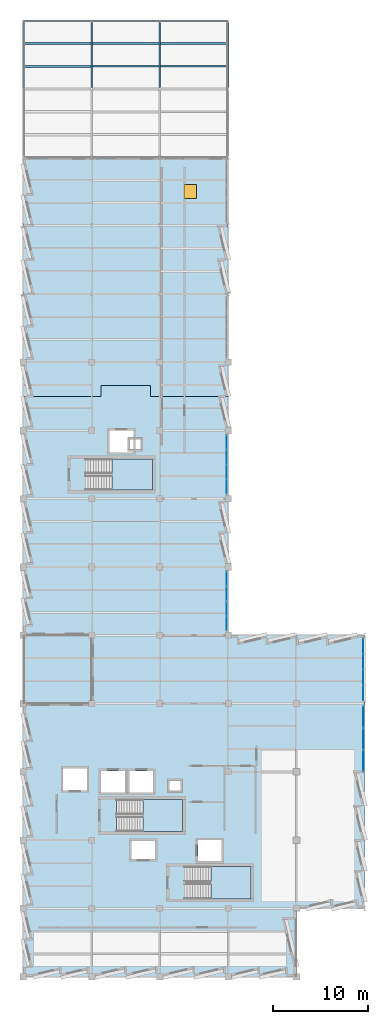
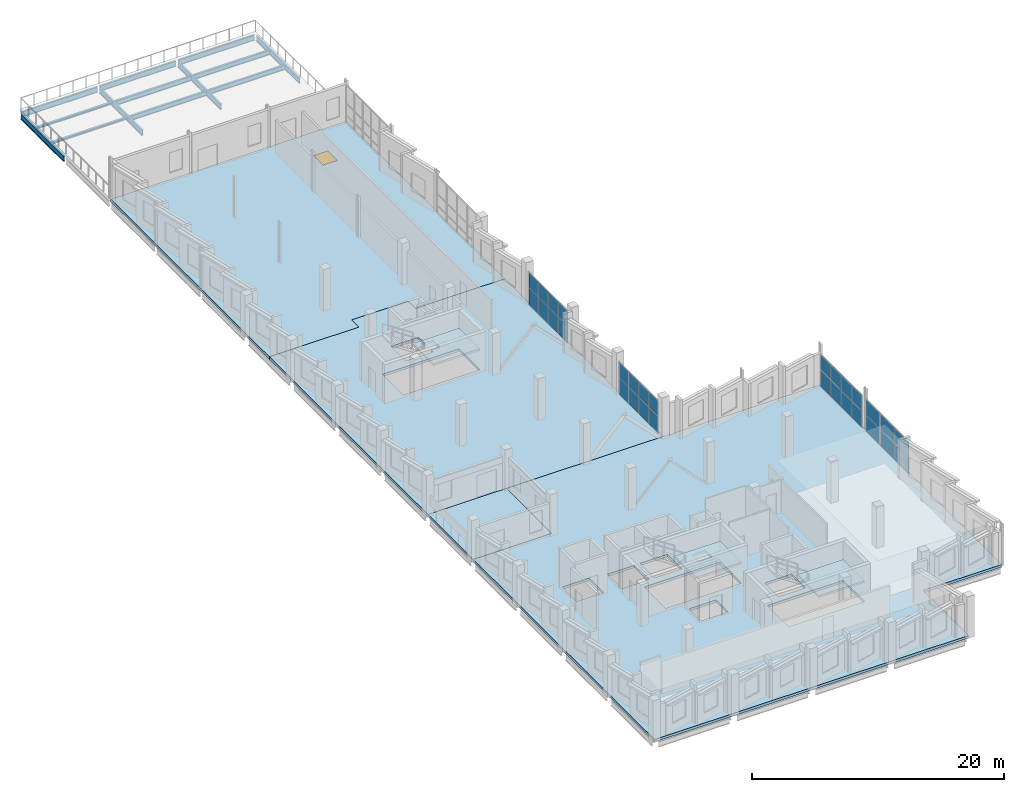
# One storey, part 19 of 33: 30 plates, 13 beams, 7 slabs, 1 door, 1 opening, 7 elements without a shape of their own.
"""IFC4 building model written with IfcOpenShell, lengths in metres."""

from ifc_helpers import new_model, si_unit, direction, frame, origin, origin_2d, place, context, subcontext, project, spatial, polyline, rectangle, i_section, outline, extrude, material, layer, layer_set, material_profile, profile_set, type_object, element, fill, aggregate, save


model = new_model("IFC4")

# Units and contexts
model_context = context("Model", 3, precision=1e-05, world=origin(), true_north=direction((0.0, 1.0)))
body_context = subcontext(model_context, "Body", "Model", "MODEL_VIEW")
ifc_project = project(units=[si_unit("LENGTHUNIT", "METRE"), si_unit("AREAUNIT", "SQUARE_METRE"), si_unit("VOLUMEUNIT", "CUBIC_METRE"), si_unit("PLANEANGLEUNIT", "RADIAN"), si_unit("MASSUNIT", "GRAM", prefix="KILO")], contexts=[model_context])

# Site, building, storey
site_placement = place(None, origin())
site = spatial("IfcSite", under=ifc_project, at=site_placement, CompositionType="ELEMENT")
building_placement = place(site_placement, origin())
building = spatial("IfcBuilding", under=site, at=building_placement, Name="Kalmorath City Hall", CompositionType="ELEMENT")
storey_placement = place(building_placement, frame((0.0, 0.0, 22.949951171875)))
storey = spatial("IfcBuildingStorey", under=building, at=storey_placement, Name="L05", CompositionType="ELEMENT", Elevation=22.949951171875)

# Beams
ifc_material_1 = material(Name="Steel ASTM A992 Grade 50", Category="steel")
ifc_material_profile_1 = material_profile(ifc_material_1, i_section(OverallWidth=0.19091796875, OverallDepth=0.4599609375, WebThickness=0.010009765625, FlangeThickness=0.01611328125, FilletRadius=0.013916015625, at=origin_2d()), Name="W18X55")
ifc_profile_set_1 = profile_set([ifc_material_profile_1], Name="Steel ASTM A992 Grade 50")
beam_type_1 = type_object("IfcBeamType", Name="Steel composite joist W18X55", PredefinedType="JOIST", material=ifc_profile_set_1)
for number, where, z_axis, x_axis, name in (
    (1, (14.4833984375, 96.0, -0.52392578125), (1.0, 0.0, 0.0), (0.0, 1.0, 0.0), "L05 joist SJ2 3.14.1"),
    (2, (14.4833984375, 98.39990234375, -0.52392578125), (1.0, 0.0, 0.0), (0.0, 1.0, 0.0), "L05 joist SJ2 3.14.2"),
):
    element("IfcBeam", number, at=place(storey_placement, frame(where, z_axis=z_axis, x_axis=x_axis)), inside=storey, type_object=beam_type_1, Name=name, PredefinedType="JOIST", context=body_context, shape_type="SweptSolid", body=[
        extrude(i_section(OverallWidth=0.19091796875, OverallDepth=0.4599609375, WebThickness=0.010009765625, FlangeThickness=0.01611328125, FilletRadius=0.013916015625, at=origin_2d()), origin(), (0.0, 0.0, 1.0), 7.0341796875),
    ])
ifc_material_2 = material(Name="Steel ASTM A992 Grade 50", Category="steel")
ifc_material_profile_2 = material_profile(ifc_material_2, i_section(OverallWidth=0.193115234375, OverallDepth=0.466064453125, WebThickness=0.011474609375, FlangeThickness=0.01904296875, FilletRadius=0.013916015625, at=origin_2d()), Name="W18X65")
ifc_profile_set_2 = profile_set([ifc_material_profile_2], Name="Steel ASTM A992 Grade 50")
beam_type_2 = type_object("IfcBeamType", Name="Steel composite joist W18X65", PredefinedType="JOIST", material=ifc_profile_set_2)
for number, where, z_axis, x_axis, name in (
    (3, (7.283447265625, 96.0, -0.52685546875), (1.0, 0.0, 0.0), (0.0, 1.0, 0.0), "L05 joist SJ1 2.14.1"),
    (4, (7.283447265625, 98.39990234375, -0.52685546875), (1.0, 0.0, 0.0), (0.0, 1.0, 0.0), "L05 joist SJ1 2.14.2"),
):
    element("IfcBeam", number, at=place(storey_placement, frame(where, z_axis=z_axis, x_axis=x_axis)), inside=storey, type_object=beam_type_2, Name=name, PredefinedType="JOIST", context=body_context, shape_type="SweptSolid", body=[
        extrude(i_section(OverallWidth=0.193115234375, OverallDepth=0.466064453125, WebThickness=0.011474609375, FlangeThickness=0.01904296875, FilletRadius=0.013916015625, at=origin_2d()), origin(), (0.0, 0.0, 1.0), 7.032958984375),
    ])
ifc_material_3 = material(Name="Steel ASTM A992 Grade 50", Category="steel")
ifc_material_profile_3 = material_profile(ifc_material_3, i_section(OverallWidth=0.202880859375, OverallDepth=0.202880859375, WebThickness=0.007080078125, FlangeThickness=0.010986328125, FilletRadius=0.010986328125, at=origin_2d()), Name="W8X31")
ifc_profile_set_3 = profile_set([ifc_material_profile_3], Name="Steel ASTM A992 Grade 50")
beam_type_3 = type_object("IfcBeamType", Name="Steel edge trimmer W8X31", PredefinedType="LINTEL", material=ifc_profile_set_3)
for number, where, z_axis, x_axis, name in (
    (5, (0.08251953125, 96.0, -0.3955078125), (1.0, 0.0, 0.0), (0.0, 1.0, 0.0), "L05 joist SJ16 1.14.1"),
    (6, (0.08251953125, 98.39990234375, -0.3955078125), (1.0, 0.0, 0.0), (0.0, 1.0, 0.0), "L05 joist SJ16 1.14.2"),
):
    element("IfcBeam", number, at=place(storey_placement, frame(where, z_axis=z_axis, x_axis=x_axis)), inside=storey, type_object=beam_type_3, Name=name, PredefinedType="LINTEL", context=body_context, shape_type="SweptSolid", body=[
        extrude(i_section(OverallWidth=0.202880859375, OverallDepth=0.202880859375, WebThickness=0.007080078125, FlangeThickness=0.010986328125, FilletRadius=0.010986328125, at=origin_2d()), origin(), (0.0, 0.0, 1.0), 7.033935546875),
    ])
ifc_material_4 = material(Name="Steel ASTM A992 Grade 50", Category="steel")
ifc_material_profile_4 = material_profile(ifc_material_4, i_section(OverallWidth=0.1669921875, OverallDepth=0.534912109375, WebThickness=0.01025390625, FlangeThickness=0.0166015625, FilletRadius=0.014892578125, at=origin_2d()), Name="W21X57")
ifc_profile_set_4 = profile_set([ifc_material_profile_4], Name="Steel ASTM A992 Grade 50")
beam_type_4 = type_object("IfcBeamType", Name="Steel floor beam W21X57", PredefinedType="BEAM", material=ifc_profile_set_4)
for number, where, z_axis, x_axis, name in (
    (7, (7.199951171875, 93.77490234375, -0.5615234375), (0.0, 1.0, 0.0), (-1.0, 0.0, 0.0), "L05 girder SB3 Y2/14-15"),
    (8, (14.39990234375, 93.77490234375, -0.5615234375), (0.0, 1.0, 0.0), (-1.0, 0.0, 0.0), "L05 girder SB3 Y3/14-15"),
):
    element("IfcBeam", number, at=place(storey_placement, frame(where, z_axis=z_axis, x_axis=x_axis)), inside=storey, type_object=beam_type_4, Name=name, PredefinedType="BEAM", context=body_context, shape_type="SweptSolid", body=[
        extrude(i_section(OverallWidth=0.1669921875, OverallDepth=0.534912109375, WebThickness=0.01025390625, FlangeThickness=0.0166015625, FilletRadius=0.014892578125, at=origin_2d()), origin(), (0.0, 0.0, 1.0), 6.85009765625),
    ])
ifc_material_5 = material(Name="Steel ASTM A992 Grade 50", Category="steel")
ifc_material_profile_5 = material_profile(ifc_material_5, i_section(OverallWidth=0.1650390625, OverallDepth=0.52490234375, WebThickness=0.0087890625, FlangeThickness=0.011474609375, FilletRadius=0.014892578125, at=origin_2d()), Name="W21X44")
ifc_profile_set_5 = profile_set([ifc_material_profile_5], Name="Steel ASTM A992 Grade 50")
beam_type_5 = type_object("IfcBeamType", Name="Steel spandrel beam W21X44", PredefinedType="SPANDREL", material=ifc_profile_set_5)
beam_placement = place(storey_placement, frame((0.10205078125, 100.800048828125, -0.556396484375), z_axis=(1.0, 0.0, 0.0), x_axis=(0.0, 1.0, 0.0)))
element("IfcBeam", 9, at=beam_placement, inside=storey, type_object=beam_type_5, Name="L05 girder SB4 X1-2/15", PredefinedType="SPANDREL", context=body_context, shape_type="SweptSolid", body=[
    extrude(i_section(OverallWidth=0.1650390625, OverallDepth=0.52490234375, WebThickness=0.0087890625, FlangeThickness=0.011474609375, FilletRadius=0.014892578125, at=origin_2d()), origin(), (0.0, 0.0, 1.0), 6.995849609375),
])
for number, where, z_axis, x_axis, name in (
    (10, (7.302001953125, 100.800048828125, -0.556396484375), (1.0, 0.0, 0.0), (0.0, 1.0, 0.0), "L05 girder SB4 X2-3/15"),
    (11, (14.501953125, 100.800048828125, -0.556396484375), (1.0, 0.0, 0.0), (0.0, 1.0, 0.0), "L05 girder SB4 X3-4/15"),
):
    element("IfcBeam", number, at=place(storey_placement, frame(where, z_axis=z_axis, x_axis=x_axis)), inside=storey, type_object=beam_type_5, Name=name, PredefinedType="SPANDREL", context=body_context, shape_type="SweptSolid", body=[
        extrude(i_section(OverallWidth=0.1650390625, OverallDepth=0.52490234375, WebThickness=0.0087890625, FlangeThickness=0.011474609375, FilletRadius=0.014892578125, at=origin_2d()), origin(), (0.0, 0.0, 1.0), 6.99609375),
    ])
for number, where, z_axis, x_axis, name in (
    (12, (0.0, 93.77490234375, -0.556396484375), (0.0, 1.0, 0.0), (-1.0, 0.0, 0.0), "L05 girder SB4 Y1/14-15"),
    (13, (21.60009765625, 93.77490234375, -0.556396484375), (0.0, 1.0, 0.0), (-1.0, 0.0, 0.0), "L05 girder SB4 Y4/14-15"),
):
    element("IfcBeam", number, at=place(storey_placement, frame(where, z_axis=z_axis, x_axis=x_axis)), inside=storey, type_object=beam_type_5, Name=name, PredefinedType="SPANDREL", context=body_context, shape_type="SweptSolid", body=[
        extrude(i_section(OverallWidth=0.1650390625, OverallDepth=0.52490234375, WebThickness=0.0087890625, FlangeThickness=0.011474609375, FilletRadius=0.014892578125, at=origin_2d()), origin(), (0.0, 0.0, 1.0), 6.85009765625),
    ])

# Curtain wall, plates
ifc_material_6 = material(Name="Anodised aluminium and laminated glass", Category="aluminium")
curtain_wall_type_1 = type_object("IfcCurtainWallType", Name="Unitised hurricane curtain wall 6320x3216 M1450", PredefinedType="NOTDEFINED", material=ifc_material_6)
curtain_wall_1_placement = place(storey_placement, origin())
curtain_wall_1 = element("IfcCurtainWall", 14, at=curtain_wall_1_placement, inside=storey, type_object=curtain_wall_type_1, Name="L05 curtain wall CW-63X32M14 #172", PredefinedType="NOTDEFINED")
ifc_material_7 = material(Name="Hurricane laminated low-E glass", Category="glass")
ifc_layer_1 = layer(ifc_material_7, 0.02392578125)
ifc_layer_set_1 = layer_set([ifc_layer_1], Name="Hurricane laminated low-E glass")
plate_type_1 = type_object("IfcPlateType", Name="Clerestory diffused glazed panel 24", PredefinedType="CURTAIN_PANEL", material=ifc_layer_set_1)
plate_1_placement = place(storey_placement, frame((21.43994140625, 56.353759765625, 0.06005859375), z_axis=(0.0, 0.0, 1.0), x_axis=(0.0, -1.0, 0.0)))
plate_1 = element("IfcPlate", 15, at=plate_1_placement, type_object=plate_type_1, Name="CW-63X32M14 panel 1.1", PredefinedType="CURTAIN_PANEL", context=body_context, shape_type="SweptSolid", body=[
    extrude(rectangle(XDim=1.482421875, YDim=0.02392578125, at=origin_2d()), origin(), (0.0, 0.0, 1.0), 1.58203125),
])
plate_2_placement = place(storey_placement, frame((21.43994140625, 56.353759765625, 1.701904296875), z_axis=(0.0, 0.0, 1.0), x_axis=(0.0, -1.0, 0.0)))
plate_2 = element("IfcPlate", 16, at=plate_2_placement, type_object=plate_type_1, Name="CW-63X32M14 panel 1.2", PredefinedType="CURTAIN_PANEL", context=body_context, shape_type="SweptSolid", body=[
    extrude(rectangle(XDim=1.482421875, YDim=0.02392578125, at=origin_2d()), origin(), (0.0, 0.0, 1.0), 1.4541015625),
])
plate_3_placement = place(storey_placement, frame((21.43994140625, 54.7900390625, 0.06005859375), z_axis=(0.0, 0.0, 1.0), x_axis=(0.0, -1.0, 0.0)))
plate_3 = element("IfcPlate", 17, at=plate_3_placement, type_object=plate_type_1, Name="CW-63X32M14 panel 2.1", PredefinedType="CURTAIN_PANEL", context=body_context, shape_type="SweptSolid", body=[
    extrude(rectangle(XDim=1.514892578125, YDim=0.02392578125, at=origin_2d()), origin(), (0.0, 0.0, 1.0), 1.58203125),
])
plate_4_placement = place(storey_placement, frame((21.43994140625, 54.7900390625, 1.701904296875), z_axis=(0.0, 0.0, 1.0), x_axis=(0.0, -1.0, 0.0)))
plate_4 = element("IfcPlate", 18, at=plate_4_placement, type_object=plate_type_1, Name="CW-63X32M14 panel 2.2", PredefinedType="CURTAIN_PANEL", context=body_context, shape_type="SweptSolid", body=[
    extrude(rectangle(XDim=1.514892578125, YDim=0.02392578125, at=origin_2d()), origin(), (0.0, 0.0, 1.0), 1.4541015625),
])
plate_5_placement = place(storey_placement, frame((21.43994140625, 53.2099609375, 0.06005859375), z_axis=(0.0, 0.0, 1.0), x_axis=(0.0, -1.0, 0.0)))
plate_5 = element("IfcPlate", 19, at=plate_5_placement, type_object=plate_type_1, Name="CW-63X32M14 panel 3.1", PredefinedType="CURTAIN_PANEL", context=body_context, shape_type="SweptSolid", body=[
    extrude(rectangle(XDim=1.514892578125, YDim=0.02392578125, at=origin_2d()), origin(), (0.0, 0.0, 1.0), 1.58203125),
])
plate_6_placement = place(storey_placement, frame((21.43994140625, 53.2099609375, 1.701904296875), z_axis=(0.0, 0.0, 1.0), x_axis=(0.0, -1.0, 0.0)))
plate_6 = element("IfcPlate", 20, at=plate_6_placement, type_object=plate_type_1, Name="CW-63X32M14 panel 3.2", PredefinedType="CURTAIN_PANEL", context=body_context, shape_type="SweptSolid", body=[
    extrude(rectangle(XDim=1.514892578125, YDim=0.02392578125, at=origin_2d()), origin(), (0.0, 0.0, 1.0), 1.4541015625),
])
plate_7_placement = place(storey_placement, frame((21.43994140625, 51.646240234375, 0.06005859375), z_axis=(0.0, 0.0, 1.0), x_axis=(0.0, -1.0, 0.0)))
plate_7 = element("IfcPlate", 21, at=plate_7_placement, type_object=plate_type_1, Name="CW-63X32M14 panel 4.1", PredefinedType="CURTAIN_PANEL", context=body_context, shape_type="SweptSolid", body=[
    extrude(rectangle(XDim=1.482421875, YDim=0.02392578125, at=origin_2d()), origin(), (0.0, 0.0, 1.0), 1.58203125),
])
plate_8_placement = place(storey_placement, frame((21.43994140625, 51.646240234375, 1.701904296875), z_axis=(0.0, 0.0, 1.0), x_axis=(0.0, -1.0, 0.0)))
plate_8 = element("IfcPlate", 22, at=plate_8_placement, type_object=plate_type_1, Name="CW-63X32M14 panel 4.2", PredefinedType="CURTAIN_PANEL", context=body_context, shape_type="SweptSolid", body=[
    extrude(rectangle(XDim=1.482421875, YDim=0.02392578125, at=origin_2d()), origin(), (0.0, 0.0, 1.0), 1.4541015625),
])
aggregate(curtain_wall_1, [plate_1, plate_2, plate_3, plate_4, plate_5, plate_6, plate_7, plate_8])

curtain_wall_2_placement = place(storey_placement, origin())
curtain_wall_2 = element("IfcCurtainWall", 23, at=curtain_wall_2_placement, inside=storey, type_object=curtain_wall_type_1, Name="L05 curtain wall CW-63X32M14 #173", PredefinedType="NOTDEFINED")
plate_9_placement = place(storey_placement, frame((21.43994140625, 41.953857421875, 0.06005859375), z_axis=(0.0, 0.0, 1.0), x_axis=(0.0, -1.0, 0.0)))
plate_9 = element("IfcPlate", 24, at=plate_9_placement, type_object=plate_type_1, Name="CW-63X32M14 panel 1.1", PredefinedType="CURTAIN_PANEL", context=body_context, shape_type="SweptSolid", body=[
    extrude(rectangle(XDim=1.482421875, YDim=0.02392578125, at=origin_2d()), origin(), (0.0, 0.0, 1.0), 1.58203125),
])
plate_10_placement = place(storey_placement, frame((21.43994140625, 41.953857421875, 1.701904296875), z_axis=(0.0, 0.0, 1.0), x_axis=(0.0, -1.0, 0.0)))
plate_10 = element("IfcPlate", 25, at=plate_10_placement, type_object=plate_type_1, Name="CW-63X32M14 panel 1.2", PredefinedType="CURTAIN_PANEL", context=body_context, shape_type="SweptSolid", body=[
    extrude(rectangle(XDim=1.482421875, YDim=0.02392578125, at=origin_2d()), origin(), (0.0, 0.0, 1.0), 1.4541015625),
])
plate_11_placement = place(storey_placement, frame((21.43994140625, 40.389892578125, 0.06005859375), z_axis=(0.0, 0.0, 1.0), x_axis=(0.0, -1.0, 0.0)))
plate_11 = element("IfcPlate", 26, at=plate_11_placement, type_object=plate_type_1, Name="CW-63X32M14 panel 2.1", PredefinedType="CURTAIN_PANEL", context=body_context, shape_type="SweptSolid", body=[
    extrude(rectangle(XDim=1.514892578125, YDim=0.02392578125, at=origin_2d()), origin(), (0.0, 0.0, 1.0), 1.58203125),
])
plate_12_placement = place(storey_placement, frame((21.43994140625, 40.389892578125, 1.701904296875), z_axis=(0.0, 0.0, 1.0), x_axis=(0.0, -1.0, 0.0)))
plate_12 = element("IfcPlate", 27, at=plate_12_placement, type_object=plate_type_1, Name="CW-63X32M14 panel 2.2", PredefinedType="CURTAIN_PANEL", context=body_context, shape_type="SweptSolid", body=[
    extrude(rectangle(XDim=1.514892578125, YDim=0.02392578125, at=origin_2d()), origin(), (0.0, 0.0, 1.0), 1.4541015625),
])
plate_13_placement = place(storey_placement, frame((21.43994140625, 38.81005859375, 0.06005859375), z_axis=(0.0, 0.0, 1.0), x_axis=(0.0, -1.0, 0.0)))
plate_13 = element("IfcPlate", 28, at=plate_13_placement, type_object=plate_type_1, Name="CW-63X32M14 panel 3.1", PredefinedType="CURTAIN_PANEL", context=body_context, shape_type="SweptSolid", body=[
    extrude(rectangle(XDim=1.514892578125, YDim=0.02392578125, at=origin_2d()), origin(), (0.0, 0.0, 1.0), 1.58203125),
])
plate_14_placement = place(storey_placement, frame((21.43994140625, 38.81005859375, 1.701904296875), z_axis=(0.0, 0.0, 1.0), x_axis=(0.0, -1.0, 0.0)))
plate_14 = element("IfcPlate", 29, at=plate_14_placement, type_object=plate_type_1, Name="CW-63X32M14 panel 3.2", PredefinedType="CURTAIN_PANEL", context=body_context, shape_type="SweptSolid", body=[
    extrude(rectangle(XDim=1.514892578125, YDim=0.02392578125, at=origin_2d()), origin(), (0.0, 0.0, 1.0), 1.4541015625),
])
plate_15_placement = place(storey_placement, frame((21.43994140625, 37.246337890625, 0.06005859375), z_axis=(0.0, 0.0, 1.0), x_axis=(0.0, -1.0, 0.0)))
plate_15 = element("IfcPlate", 30, at=plate_15_placement, type_object=plate_type_1, Name="CW-63X32M14 panel 4.1", PredefinedType="CURTAIN_PANEL", context=body_context, shape_type="SweptSolid", body=[
    extrude(rectangle(XDim=1.482421875, YDim=0.02392578125, at=origin_2d()), origin(), (0.0, 0.0, 1.0), 1.58203125),
])
plate_16_placement = place(storey_placement, frame((21.43994140625, 37.246337890625, 1.701904296875), z_axis=(0.0, 0.0, 1.0), x_axis=(0.0, -1.0, 0.0)))
plate_16 = element("IfcPlate", 31, at=plate_16_placement, type_object=plate_type_1, Name="CW-63X32M14 panel 4.2", PredefinedType="CURTAIN_PANEL", context=body_context, shape_type="SweptSolid", body=[
    extrude(rectangle(XDim=1.482421875, YDim=0.02392578125, at=origin_2d()), origin(), (0.0, 0.0, 1.0), 1.4541015625),
])
aggregate(curtain_wall_2, [plate_9, plate_10, plate_11, plate_12, plate_13, plate_14, plate_15, plate_16])

# Slabs
ifc_material_8 = material(Name="Concrete C40/50", Category="concrete")
ifc_layer_2 = layer(ifc_material_8, 0.25)
ifc_layer_set_2 = layer_set([ifc_layer_2], Name="Concrete C40/50")
slab_type_1 = type_object("IfcSlabType", Name="Concrete municipal wing floor slab 250", PredefinedType="FLOOR", material=ifc_layer_set_2)
slab_1_placement = place(storey_placement, frame((0.0, 0.0, -0.25)))
element("IfcSlab", 32, at=slab_1_placement, inside=storey, type_object=slab_type_1, Name="L05 Corner Administration Block slab FS5-1", PredefinedType="FLOOR", context=body_context, shape_type="SweptSolid", body=[
    extrude(outline(polyline([(0.0, 28.800048828125), (7.199951171875, 28.800048828125), (7.199951171875, 36.0), (36.0, 36.0), (36.0, 7.199951171875), (28.800048828125, 7.199951171875), (28.800048828125, 0.0), (0.0, 0.0), (0.0, 28.800048828125)]), holes=[polyline([(16.800048828125, 15.300048828125), (16.800048828125, 18.699951171875), (9.840087890625, 18.699951171875), (9.840087890625, 15.300048828125), (16.800048828125, 15.300048828125)]), polyline([(4.199951171875, 19.64990234375), (6.699951171875, 19.64990234375), (6.699951171875, 21.949951171875), (4.199951171875, 21.949951171875), (4.199951171875, 19.64990234375)]), polyline([(8.199951171875, 21.699951171875), (8.199951171875, 19.39990234375), (10.699951171875, 19.39990234375), (10.699951171875, 21.699951171875), (8.199951171875, 21.699951171875)]), polyline([(13.699951171875, 21.699951171875), (11.199951171875, 21.699951171875), (11.199951171875, 19.39990234375), (13.699951171875, 19.39990234375), (13.699951171875, 21.699951171875)]), polyline([(24.0, 8.199951171875), (24.0, 11.60009765625), (17.0400390625, 11.60009765625), (17.0400390625, 8.199951171875), (24.0, 8.199951171875)]), polyline([(11.39990234375, 12.39990234375), (13.89990234375, 12.39990234375), (13.89990234375, 14.300048828125), (11.39990234375, 14.300048828125), (11.39990234375, 12.39990234375)]), polyline([(18.39990234375, 14.39990234375), (18.39990234375, 12.199951171875), (20.89990234375, 12.199951171875), (20.89990234375, 14.39990234375), (18.39990234375, 14.39990234375)]), polyline([(16.60009765625, 20.679931640625), (15.39990234375, 20.679931640625), (15.39990234375, 19.60009765625), (16.60009765625, 19.60009765625), (16.60009765625, 20.679931640625)])]), origin(), (0.0, 0.0, 1.0), 0.25),
])
slab_2_placement = place(storey_placement, frame((0.0, 0.0, -0.25)))
element("IfcSlab", 33, at=slab_2_placement, inside=storey, type_object=slab_type_1, Name="L05 West Sawtooth Wing and Civic Storm Arcade slab FS5-1", PredefinedType="FLOOR", context=body_context, shape_type="SweptSolid", body=[
    extrude(outline(polyline([(0.0, 36.0), (0.0, 61.199951171875), (8.199951171875, 61.199951171875), (8.199951171875, 62.35009765625), (13.39990234375, 62.35009765625), (13.39990234375, 61.199951171875), (21.60009765625, 61.199951171875), (21.60009765625, 36.0), (7.199951171875, 36.0), (0.0, 36.0)]), holes=[polyline([(13.60009765625, 51.300048828125), (13.60009765625, 54.60009765625), (6.590087890625, 54.60009765625), (6.590087890625, 51.300048828125), (13.60009765625, 51.300048828125)]), polyline([(12.39990234375, 56.679931640625), (11.60009765625, 56.679931640625), (11.60009765625, 57.60009765625), (9.10009765625, 57.60009765625), (9.10009765625, 55.300048828125), (11.60009765625, 55.300048828125), (11.60009765625, 55.60009765625), (12.39990234375, 55.60009765625), (12.39990234375, 56.679931640625)])]), origin(), (0.0, 0.0, 1.0), 0.25),
])

# Slab, opening, door
slab_3_placement = place(storey_placement, frame((0.0, 0.0, -0.25)))
slab_3 = element("IfcSlab", 34, at=slab_3_placement, inside=storey, type_object=slab_type_1, Name="L05 West Sawtooth Wing and Civic Storm Arcade slab FS5-2", PredefinedType="FLOOR", context=body_context, shape_type="SweptSolid", body=[
    extrude(outline(polyline([(21.60009765625, 86.39990234375), (21.60009765625, 61.199951171875), (13.39990234375, 61.199951171875), (13.39990234375, 62.35009765625), (8.199951171875, 62.35009765625), (8.199951171875, 61.199951171875), (0.0, 61.199951171875), (0.0, 86.39990234375), (21.60009765625, 86.39990234375)])), origin(), (0.0, 0.0, 1.0), 0.25),
])
opening_placement = place(slab_3_placement, frame((17.60009765625, 82.800048828125, 0.0)))
opening = element("IfcOpeningElement", 35, at=opening_placement, cuts=slab_3, Name="Opening D-H04", PredefinedType="OPENING", context=body_context, shape_type="SweptSolid", body=[
    extrude(rectangle(XDim=1.300048828125, YDim=1.5, at=origin_2d()), origin(), (0.0, 0.0, 1.0), 0.25),
])
ifc_material_9 = material(Name="Galvanised steel hatch", Category="steel")
door_type = type_object("IfcDoorType", Name="Equipment maintenance roof hatch 1300x1500", OperationType="SINGLE_SWING_LEFT", PredefinedType="TRAPDOOR", material=ifc_material_9)
door_placement = place(opening_placement, frame((0.0, 0.0, 0.199951171875)))
door = element("IfcDoor", 36, at=door_placement, inside=storey, type_object=door_type, Name="L05 roof access hatch D-H04", OperationType="SINGLE_SWING_LEFT", OverallHeight=1.5, OverallWidth=1.300048828125, PredefinedType="TRAPDOOR", context=body_context, shape_type="SweptSolid", body=[
    extrude(rectangle(XDim=1.300048828125, YDim=1.5, at=origin_2d()), origin(), (0.0, 0.0, 1.0), 0.050048828125),
])
fill(opening, door)

# Slab
ifc_material_10 = material(Name="Concrete C40/50", Category="concrete")
ifc_layer_3 = layer(ifc_material_10, 0.22998046875)
ifc_layer_set_3 = layer_set([ifc_layer_3], Name="Concrete C40/50")
slab_type_2 = type_object("IfcSlabType", Name="Concrete recessed corner loggia slab 230", PredefinedType="FLOOR", material=ifc_layer_set_3)
slab_4_placement = place(storey_placement, frame((0.0, 0.0, -0.22998046875)))
element("IfcSlab", 37, at=slab_4_placement, inside=storey, type_object=slab_type_2, Name="L05 Northwest Corner Loggia slab", PredefinedType="FLOOR", context=body_context, shape_type="SweptSolid", body=[
    extrude(outline(polyline([(0.0, 28.800048828125), (7.199951171875, 28.800048828125), (7.199951171875, 36.0), (0.0, 36.0), (0.0, 28.800048828125)])), origin(), (0.0, 0.0, 1.0), 0.22998046875),
])

# Stair, slab
ifc_material_11 = material(Name="Concrete C40/50", Category="concrete")
stair_type_1 = type_object("IfcStairType", Name="Dogleg concrete exit stair 22R x 184mm W1600", PredefinedType="HALF_TURN_STAIR", material=ifc_material_11)
stair_1_placement = place(storey_placement, origin())
stair_1 = element("IfcStair", 38, at=stair_1_placement, inside=storey, type_object=stair_type_1, Name="L05 Protected exit stair ST-1", PredefinedType="HALF_TURN_STAIR")
ifc_material_12 = material(Name="Concrete C40/50", Category="concrete")
ifc_layer_4 = layer(ifc_material_12, 0.199951171875)
ifc_layer_set_4 = layer_set([ifc_layer_4], Name="Concrete C40/50")
slab_type_3 = type_object("IfcSlabType", Name="Concrete stair half-landing slab 200", PredefinedType="LANDING", material=ifc_layer_set_4)
slab_5_placement = place(storey_placement, frame((0.0, 0.0, 1.824951171875)))
slab_5 = element("IfcSlab", 39, at=slab_5_placement, type_object=slab_type_3, Name="ST-1 landing 1", PredefinedType="LANDING", context=body_context, shape_type="SweptSolid", body=[
    extrude(outline(polyline([(12.60009765625, 15.300048828125), (16.800048828125, 15.300048828125), (16.800048828125, 18.699951171875), (12.60009765625, 18.699951171875), (12.60009765625, 15.300048828125)])), origin(), (0.0, 0.0, 1.0), 0.2001953125),
])
aggregate(stair_1, [slab_5])

stair_2_placement = place(storey_placement, origin())
stair_2 = element("IfcStair", 40, at=stair_2_placement, inside=storey, type_object=stair_type_1, Name="L05 Protected exit stair ST-2", PredefinedType="HALF_TURN_STAIR")
slab_6_placement = place(storey_placement, frame((0.0, 0.0, 1.824951171875)))
slab_6 = element("IfcSlab", 41, at=slab_6_placement, type_object=slab_type_3, Name="ST-2 landing 1", PredefinedType="LANDING", context=body_context, shape_type="SweptSolid", body=[
    extrude(outline(polyline([(19.800048828125, 8.199951171875), (24.0, 8.199951171875), (24.0, 11.60009765625), (19.800048828125, 11.60009765625), (19.800048828125, 8.199951171875)])), origin(), (0.0, 0.0, 1.0), 0.2001953125),
])
aggregate(stair_2, [slab_6])

ifc_material_13 = material(Name="Concrete C40/50", Category="concrete")
stair_type_2 = type_object("IfcStairType", Name="Dogleg concrete exit stair 22R x 184mm W1550", PredefinedType="HALF_TURN_STAIR", material=ifc_material_13)
stair_3_placement = place(storey_placement, origin())
stair_3 = element("IfcStair", 42, at=stair_3_placement, inside=storey, type_object=stair_type_2, Name="L05 Protected exit stair ST-3", PredefinedType="HALF_TURN_STAIR")
slab_7_placement = place(storey_placement, frame((0.0, 0.0, 1.824951171875)))
slab_7 = element("IfcSlab", 43, at=slab_7_placement, type_object=slab_type_3, Name="ST-3 landing 1", PredefinedType="LANDING", context=body_context, shape_type="SweptSolid", body=[
    extrude(outline(polyline([(9.35009765625, 51.300048828125), (13.60009765625, 51.300048828125), (13.60009765625, 54.60009765625), (9.35009765625, 54.60009765625), (9.35009765625, 51.300048828125)])), origin(), (0.0, 0.0, 1.0), 0.2001953125),
])
aggregate(stair_3, [slab_7])

# Curtain wall, plates
ifc_material_14 = material(Name="Anodised aluminium and laminated glass", Category="aluminium")
curtain_wall_type_2 = type_object("IfcCurtainWallType", Name="Unitised hurricane curtain wall 6670x3206 M1500", PredefinedType="NOTDEFINED", material=ifc_material_14)
curtain_wall_3_placement = place(storey_placement, origin())
curtain_wall_3 = element("IfcCurtainWall", 44, at=curtain_wall_3_placement, inside=storey, type_object=curtain_wall_type_2, Name="L05 curtain wall CW-67X32M15 #168", PredefinedType="NOTDEFINED")
ifc_material_15 = material(Name="Hurricane laminated low-E glass", Category="glass")
ifc_layer_5 = layer(ifc_material_15, 0.031982421875)
ifc_layer_set_5 = layer_set([ifc_layer_5], Name="Hurricane laminated low-E glass")
plate_type_2 = type_object("IfcPlateType", Name="Hurricane impact double-glazed panel 32", PredefinedType="CURTAIN_PANEL", material=ifc_layer_set_5)
plate_17_placement = place(storey_placement, frame((35.840087890625, 34.882568359375, 0.06494140625), z_axis=(0.0, 0.0, 1.0), x_axis=(0.0, -1.0, 0.0)))
plate_17 = element("IfcPlate", 45, at=plate_17_placement, type_object=plate_type_2, Name="CW-67X32M15 panel 1.1", PredefinedType="CURTAIN_PANEL", context=body_context, shape_type="SweptSolid", body=[
    extrude(rectangle(XDim=1.554931640625, YDim=0.031982421875, at=origin_2d()), origin(), (0.0, 0.0, 1.0), 1.569580078125),
])
plate_18_placement = place(storey_placement, frame((35.840087890625, 34.882568359375, 1.69970703125), z_axis=(0.0, 0.0, 1.0), x_axis=(0.0, -1.0, 0.0)))
plate_18 = element("IfcPlate", 46, at=plate_18_placement, type_object=plate_type_2, Name="CW-67X32M15 panel 1.2", PredefinedType="CURTAIN_PANEL", context=body_context, shape_type="SweptSolid", body=[
    extrude(rectangle(XDim=1.554931640625, YDim=0.031982421875, at=origin_2d()), origin(), (0.0, 0.0, 1.0), 1.44140625),
])
plate_19_placement = place(storey_placement, frame((35.840087890625, 33.233642578125, 0.06494140625), z_axis=(0.0, 0.0, 1.0), x_axis=(0.0, -1.0, 0.0)))
plate_19 = element("IfcPlate", 47, at=plate_19_placement, type_object=plate_type_2, Name="CW-67X32M15 panel 2.1", PredefinedType="CURTAIN_PANEL", context=body_context, shape_type="SweptSolid", body=[
    extrude(rectangle(XDim=1.592529296875, YDim=0.031982421875, at=origin_2d()), origin(), (0.0, 0.0, 1.0), 1.569580078125),
])
plate_20_placement = place(storey_placement, frame((35.840087890625, 33.233642578125, 1.69970703125), z_axis=(0.0, 0.0, 1.0), x_axis=(0.0, -1.0, 0.0)))
plate_20 = element("IfcPlate", 48, at=plate_20_placement, type_object=plate_type_2, Name="CW-67X32M15 panel 2.2", PredefinedType="CURTAIN_PANEL", context=body_context, shape_type="SweptSolid", body=[
    extrude(rectangle(XDim=1.592529296875, YDim=0.031982421875, at=origin_2d()), origin(), (0.0, 0.0, 1.0), 1.44140625),
])
plate_21_placement = place(storey_placement, frame((35.840087890625, 31.566162109375, 0.06494140625), z_axis=(0.0, 0.0, 1.0), x_axis=(0.0, -1.0, 0.0)))
plate_21 = element("IfcPlate", 49, at=plate_21_placement, type_object=plate_type_2, Name="CW-67X32M15 panel 3.1", PredefinedType="CURTAIN_PANEL", context=body_context, shape_type="SweptSolid", body=[
    extrude(rectangle(XDim=1.592529296875, YDim=0.031982421875, at=origin_2d()), origin(), (0.0, 0.0, 1.0), 1.569580078125),
])
plate_22_placement = place(storey_placement, frame((35.840087890625, 31.566162109375, 1.69970703125), z_axis=(0.0, 0.0, 1.0), x_axis=(0.0, -1.0, 0.0)))
plate_22 = element("IfcPlate", 50, at=plate_22_placement, type_object=plate_type_2, Name="CW-67X32M15 panel 3.2", PredefinedType="CURTAIN_PANEL", context=body_context, shape_type="SweptSolid", body=[
    extrude(rectangle(XDim=1.592529296875, YDim=0.031982421875, at=origin_2d()), origin(), (0.0, 0.0, 1.0), 1.44140625),
])
plate_23_placement = place(storey_placement, frame((35.840087890625, 29.91748046875, 0.06494140625), z_axis=(0.0, 0.0, 1.0), x_axis=(0.0, -1.0, 0.0)))
plate_23 = element("IfcPlate", 51, at=plate_23_placement, type_object=plate_type_2, Name="CW-67X32M15 panel 4.1", PredefinedType="CURTAIN_PANEL", context=body_context, shape_type="SweptSolid", body=[
    extrude(rectangle(XDim=1.554931640625, YDim=0.031982421875, at=origin_2d()), origin(), (0.0, 0.0, 1.0), 1.569580078125),
])
plate_24_placement = place(storey_placement, frame((35.840087890625, 29.91748046875, 1.69970703125), z_axis=(0.0, 0.0, 1.0), x_axis=(0.0, -1.0, 0.0)))
plate_24 = element("IfcPlate", 52, at=plate_24_placement, type_object=plate_type_2, Name="CW-67X32M15 panel 4.2", PredefinedType="CURTAIN_PANEL", context=body_context, shape_type="SweptSolid", body=[
    extrude(rectangle(XDim=1.554931640625, YDim=0.031982421875, at=origin_2d()), origin(), (0.0, 0.0, 1.0), 1.44140625),
])
aggregate(curtain_wall_3, [plate_17, plate_18, plate_19, plate_20, plate_21, plate_22, plate_23, plate_24])

ifc_material_16 = material(Name="Anodised aluminium and laminated glass", Category="aluminium")
curtain_wall_type_3 = type_object("IfcCurtainWallType", Name="Unitised hurricane curtain wall 6935x3206 M2100", PredefinedType="NOTDEFINED", material=ifc_material_16)
curtain_wall_4_placement = place(storey_placement, origin())
curtain_wall_4 = element("IfcCurtainWall", 53, at=curtain_wall_4_placement, inside=storey, type_object=curtain_wall_type_3, Name="L05 curtain wall CW-69X32M21 #169", PredefinedType="NOTDEFINED")
plate_25_placement = place(storey_placement, frame((35.840087890625, 27.3603515625, 0.06494140625), z_axis=(0.0, 0.0, 1.0), x_axis=(0.0, -1.0, 0.0)))
plate_25 = element("IfcPlate", 54, at=plate_25_placement, type_object=plate_type_2, Name="CW-69X32M21 panel 1.1", PredefinedType="CURTAIN_PANEL", context=body_context, shape_type="SweptSolid", body=[
    extrude(rectangle(XDim=2.19921875, YDim=0.031982421875, at=origin_2d()), origin(), (0.0, 0.0, 1.0), 1.569580078125),
])
plate_26_placement = place(storey_placement, frame((35.840087890625, 27.3603515625, 1.69970703125), z_axis=(0.0, 0.0, 1.0), x_axis=(0.0, -1.0, 0.0)))
plate_26 = element("IfcPlate", 55, at=plate_26_placement, type_object=plate_type_2, Name="CW-69X32M21 panel 1.2", PredefinedType="CURTAIN_PANEL", context=body_context, shape_type="SweptSolid", body=[
    extrude(rectangle(XDim=2.19921875, YDim=0.031982421875, at=origin_2d()), origin(), (0.0, 0.0, 1.0), 1.44140625),
])
plate_27_placement = place(storey_placement, frame((35.840087890625, 25.0673828125, 0.06494140625), z_axis=(0.0, 0.0, 1.0), x_axis=(0.0, -1.0, 0.0)))
plate_27 = element("IfcPlate", 56, at=plate_27_placement, type_object=plate_type_2, Name="CW-69X32M21 panel 2.1", PredefinedType="CURTAIN_PANEL", context=body_context, shape_type="SweptSolid", body=[
    extrude(rectangle(XDim=2.236572265625, YDim=0.031982421875, at=origin_2d()), origin(), (0.0, 0.0, 1.0), 1.569580078125),
])
plate_28_placement = place(storey_placement, frame((35.840087890625, 25.0673828125, 1.69970703125), z_axis=(0.0, 0.0, 1.0), x_axis=(0.0, -1.0, 0.0)))
plate_28 = element("IfcPlate", 57, at=plate_28_placement, type_object=plate_type_2, Name="CW-69X32M21 panel 2.2", PredefinedType="CURTAIN_PANEL", context=body_context, shape_type="SweptSolid", body=[
    extrude(rectangle(XDim=2.236572265625, YDim=0.031982421875, at=origin_2d()), origin(), (0.0, 0.0, 1.0), 1.44140625),
])
plate_29_placement = place(storey_placement, frame((35.840087890625, 22.774658203125, 0.06494140625), z_axis=(0.0, 0.0, 1.0), x_axis=(0.0, -1.0, 0.0)))
plate_29 = element("IfcPlate", 58, at=plate_29_placement, type_object=plate_type_2, Name="CW-69X32M21 panel 3.1", PredefinedType="CURTAIN_PANEL", context=body_context, shape_type="SweptSolid", body=[
    extrude(rectangle(XDim=2.19921875, YDim=0.031982421875, at=origin_2d()), origin(), (0.0, 0.0, 1.0), 1.569580078125),
])
plate_30_placement = place(storey_placement, frame((35.840087890625, 22.774658203125, 1.69970703125), z_axis=(0.0, 0.0, 1.0), x_axis=(0.0, -1.0, 0.0)))
plate_30 = element("IfcPlate", 59, at=plate_30_placement, type_object=plate_type_2, Name="CW-69X32M21 panel 3.2", PredefinedType="CURTAIN_PANEL", context=body_context, shape_type="SweptSolid", body=[
    extrude(rectangle(XDim=2.19921875, YDim=0.031982421875, at=origin_2d()), origin(), (0.0, 0.0, 1.0), 1.44140625),
])
aggregate(curtain_wall_4, [plate_25, plate_26, plate_27, plate_28, plate_29, plate_30])

save(model, "model.ifc")
